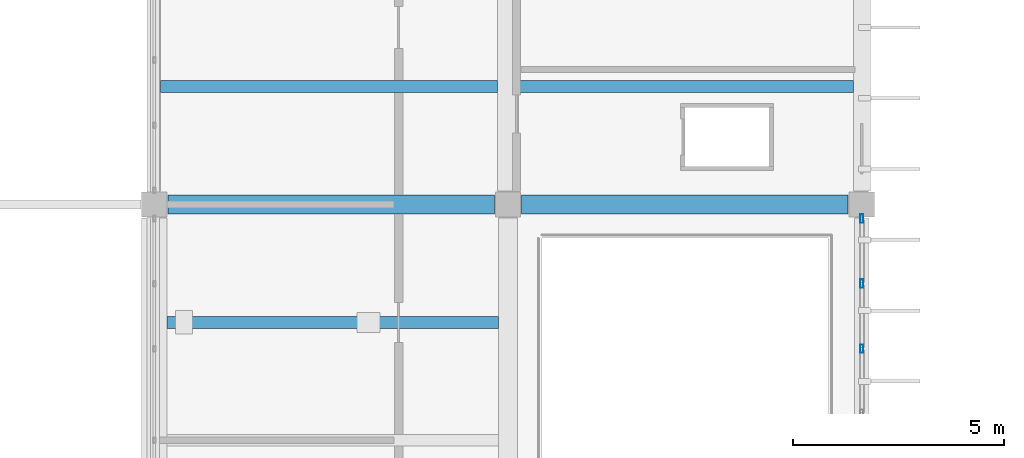
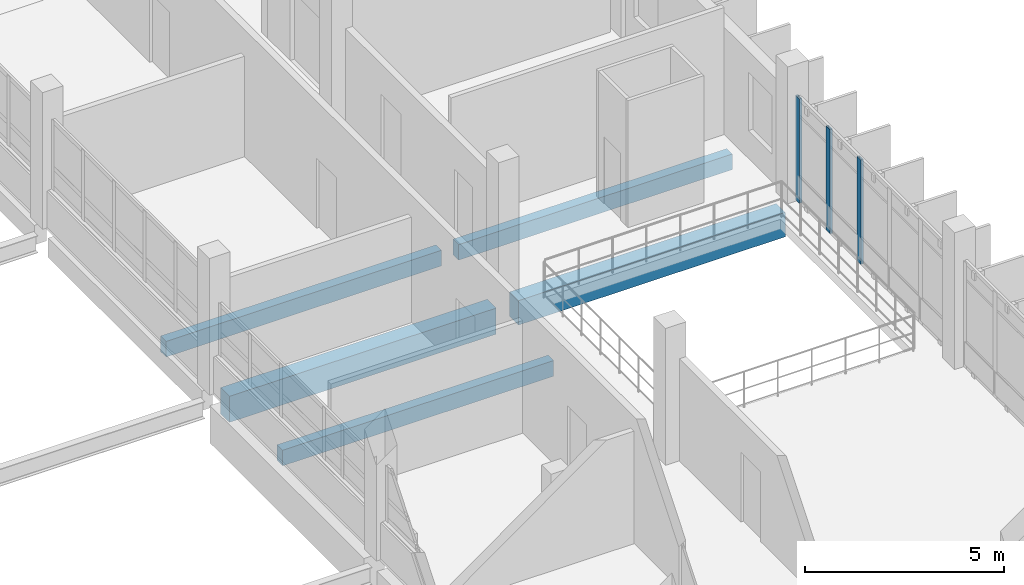
# One storey, part 50 of 130: 5 beams, 3 members, 1 element without a shape of its own.
"""IFC4 building model written with IfcOpenShell, lengths in metres."""

from ifc_helpers import new_model, si_unit, direction, frame, origin, origin_2d, place, context, subcontext, project, spatial, rectangle, hollow_rectangle, extrude, material, layer, layer_set, material_profile, profile_set, type_object, element, aggregate, save


model = new_model("IFC4")

# Units and contexts
model_context = context("Model", 3, precision=1e-05, world=origin(), true_north=direction((0.0, 1.0)))
body_context = subcontext(model_context, "Body", "Model", "MODEL_VIEW")
ifc_project = project(units=[si_unit("LENGTHUNIT", "METRE"), si_unit("AREAUNIT", "SQUARE_METRE"), si_unit("VOLUMEUNIT", "CUBIC_METRE"), si_unit("PLANEANGLEUNIT", "RADIAN"), si_unit("MASSUNIT", "GRAM", prefix="KILO")], contexts=[model_context])

# Site, building, storey
site_placement = place(None, origin())
site = spatial("IfcSite", under=ifc_project, at=site_placement, CompositionType="ELEMENT")
building_placement = place(site_placement, origin())
building = spatial("IfcBuilding", under=site, at=building_placement, Name="Vireocrest Preparatory School", CompositionType="ELEMENT")
storey_placement = place(building_placement, frame((0.0, 0.0, 9.0)))
storey = spatial("IfcBuildingStorey", under=building, at=storey_placement, Name="L02", CompositionType="ELEMENT", Elevation=9.0)

# Curtain wall, members
ifc_material_1 = material(Name="Thermally broken aluminium EN AW-6063-T6", Category="aluminium")
ifc_layer = layer(ifc_material_1, 0.179931640625)
ifc_layer_set = layer_set([ifc_layer], Name="Thermally broken aluminium EN AW-6063-T6")
curtain_wall_type = type_object("IfcCurtainWallType", Name="Teaching Fin Curtain Wall 8400x4200", PredefinedType="USERDEFINED", material=ifc_layer_set)
curtain_wall_placement = place(storey_placement, origin())
curtain_wall = element("IfcCurtainWall", 1, at=curtain_wall_placement, inside=storey, type_object=curtain_wall_type, Name="Curtain Wall CW03 CW_L02_CW03_1092_0609_090", ObjectType="CURTAIN WALL", PredefinedType="USERDEFINED")
ifc_material_profile_1 = material_profile(ifc_material_1, hollow_rectangle(XDim=0.074951171875, YDim=0.199951171875, WallThickness=0.0048828125, at=origin_2d()), Name="ALU 75x200x5")
ifc_profile_set_1 = profile_set([ifc_material_profile_1], Name="Thermally broken aluminium EN AW-6063-T6")
member_type = type_object("IfcMemberType", Name="CW Mullion 75x200x5", PredefinedType="MULLION", material=ifc_profile_set_1)
member_1_placement = place(storey_placement, frame((109.199951171875, 65.572998046875, 0.0), z_axis=(0.0, 0.0, 1.0), x_axis=(1.0, 0.0, 0.0)))
member_1 = element("IfcMember", 2, at=member_1_placement, type_object=member_type, Name="CW Mullion ML3 CW_L02_CW03_1092_0609_090-4", PredefinedType="MULLION", context=body_context, shape_type="SweptSolid", body=[
    extrude(hollow_rectangle(XDim=0.074951171875, YDim=0.199951171875, WallThickness=0.0048828125, at=origin_2d()), origin(), (0.0, 0.0, 1.0), 3.205078125),
])
member_2_placement = place(storey_placement, frame((109.199951171875, 67.118896484375, 0.0), z_axis=(0.0, 0.0, 1.0), x_axis=(1.0, 0.0, 0.0)))
member_2 = element("IfcMember", 3, at=member_2_placement, type_object=member_type, Name="CW Mullion ML3 CW_L02_CW03_1092_0609_090-5", PredefinedType="MULLION", context=body_context, shape_type="SweptSolid", body=[
    extrude(hollow_rectangle(XDim=0.074951171875, YDim=0.199951171875, WallThickness=0.0048828125, at=origin_2d()), origin(), (0.0, 0.0, 1.0), 3.205078125),
])
member_3_placement = place(storey_placement, frame((109.199951171875, 68.6650390625, 0.0), z_axis=(0.0, 0.0, 1.0), x_axis=(1.0, 0.0, 0.0)))
member_3 = element("IfcMember", 4, at=member_3_placement, type_object=member_type, Name="CW Mullion ML3 CW_L02_CW03_1092_0609_090-6", PredefinedType="MULLION", context=body_context, shape_type="SweptSolid", body=[
    extrude(hollow_rectangle(XDim=0.074951171875, YDim=0.199951171875, WallThickness=0.0048828125, at=origin_2d()), origin(), (0.0, 0.0, 1.0), 3.205078125),
])
aggregate(curtain_wall, [member_1, member_2, member_3])

# Beams
ifc_material_2 = material(Name="Concrete 40 MPa", Category="concrete")
ifc_material_profile_2 = material_profile(ifc_material_2, rectangle(XDim=0.449951171875, YDim=0.75, at=origin_2d()), Name="RC 450x750")
ifc_profile_set_2 = profile_set([ifc_material_profile_2], Name="Concrete 40 MPa")
beam_type_1 = type_object("IfcBeamType", Name="RC Library Stack Girder 450x750", PredefinedType="BEAM", material=ifc_profile_set_2)
beam_1_placement = place(storey_placement, frame((101.125, 69.0, -0.675048828125), z_axis=(1.0, 0.0, 0.0), x_axis=(0.0, 1.0, 0.0)))
element("IfcBeam", 5, at=beam_1_placement, inside=storey, type_object=beam_type_1, Name="Primary Girder B11 L02-0741", PredefinedType="BEAM", context=body_context, shape_type="SweptSolid", body=[
    extrude(rectangle(XDim=0.449951171875, YDim=0.75, at=origin_2d()), origin(), (0.0, 0.0, 1.0), 7.75),
])
ifc_material_profile_3 = material_profile(ifc_material_2, rectangle(XDim=0.449951171875, YDim=0.800048828125, at=origin_2d()), Name="RC 450x800")
ifc_profile_set_3 = profile_set([ifc_material_profile_3], Name="Concrete 40 MPa")
beam_type_2 = type_object("IfcBeamType", Name="RC Library Stack Girder 450x800", PredefinedType="BEAM", material=ifc_profile_set_3)
beam_2_placement = place(storey_placement, frame((92.72509765625, 69.0, -0.699951171875), z_axis=(1.0, 0.0, 0.0), x_axis=(0.0, 1.0, 0.0)))
element("IfcBeam", 6, at=beam_2_placement, inside=storey, type_object=beam_type_2, Name="Primary Girder B12 L02-0740", PredefinedType="BEAM", context=body_context, shape_type="SweptSolid", body=[
    extrude(rectangle(XDim=0.449951171875, YDim=0.800048828125, at=origin_2d()), origin(), (0.0, 0.0, 1.0), 7.75),
])
ifc_material_profile_4 = material_profile(ifc_material_2, rectangle(XDim=0.280029296875, YDim=0.47998046875, at=origin_2d()), Name="RC 280x480")
ifc_profile_set_4 = profile_set([ifc_material_profile_4], Name="Concrete 40 MPa")
beam_type_3 = type_object("IfcBeamType", Name="RC Secondary Lab Joist 280x480", PredefinedType="JOIST", material=ifc_profile_set_4)
beam_3_placement = place(storey_placement, frame((92.699951171875, 66.199951171875, -0.5400390625), z_axis=(1.0, 0.0, 0.0), x_axis=(0.0, 1.0, 0.0)))
element("IfcBeam", 7, at=beam_3_placement, inside=storey, type_object=beam_type_3, Name="Secondary Joist J02 L02-0977", PredefinedType="JOIST", context=body_context, shape_type="SweptSolid", body=[
    extrude(rectangle(XDim=0.280029296875, YDim=0.47998046875, at=origin_2d()), origin(), (0.0, 0.0, 1.0), 7.875),
])
beam_4_placement = place(storey_placement, frame((92.550048828125, 71.800048828125, -0.5400390625), z_axis=(1.0, 0.0, 0.0), x_axis=(0.0, 1.0, 0.0)))
element("IfcBeam", 8, at=beam_4_placement, inside=storey, type_object=beam_type_3, Name="Secondary Joist J02 L02-0978", PredefinedType="JOIST", context=body_context, shape_type="SweptSolid", body=[
    extrude(rectangle(XDim=0.280029296875, YDim=0.47998046875, at=origin_2d()), origin(), (0.0, 0.0, 1.0), 8.0),
])
beam_5_placement = place(storey_placement, frame((101.050048828125, 71.800048828125, -0.5400390625), z_axis=(1.0, 0.0, 0.0), x_axis=(0.0, 1.0, 0.0)))
element("IfcBeam", 9, at=beam_5_placement, inside=storey, type_object=beam_type_3, Name="Secondary Joist J02 L02-0996", PredefinedType="JOIST", context=body_context, shape_type="SweptSolid", body=[
    extrude(rectangle(XDim=0.280029296875, YDim=0.47998046875, at=origin_2d()), origin(), (0.0, 0.0, 1.0), 7.949951171875),
])

save(model, "model.ifc")
